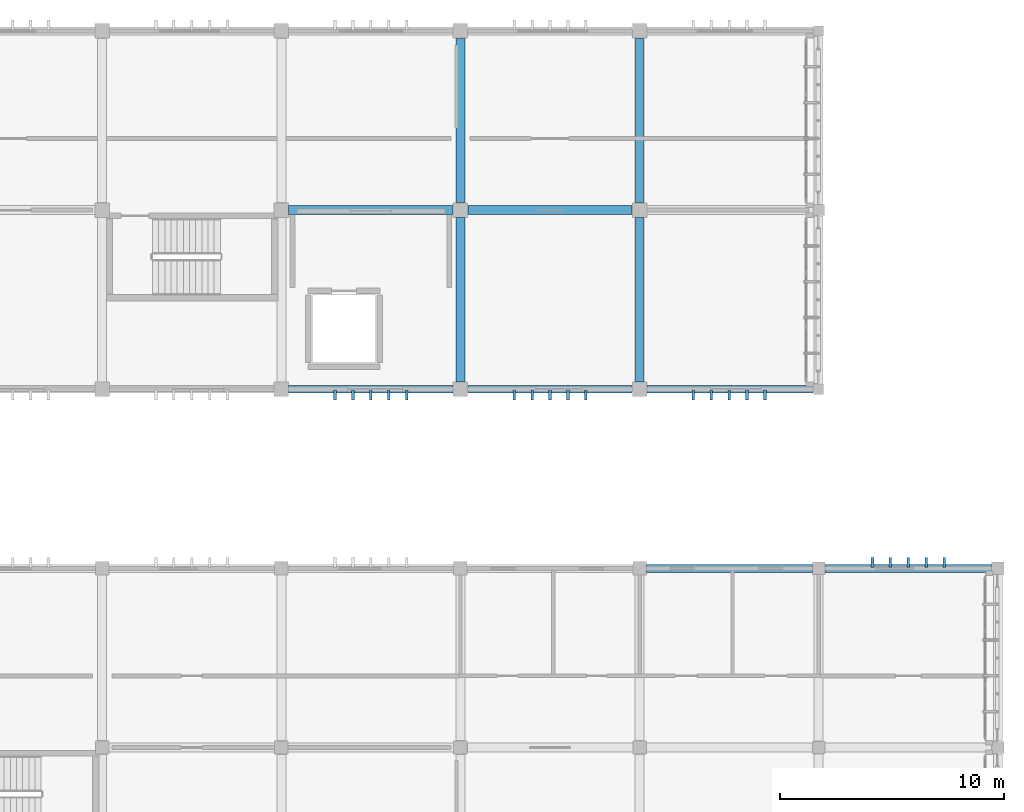
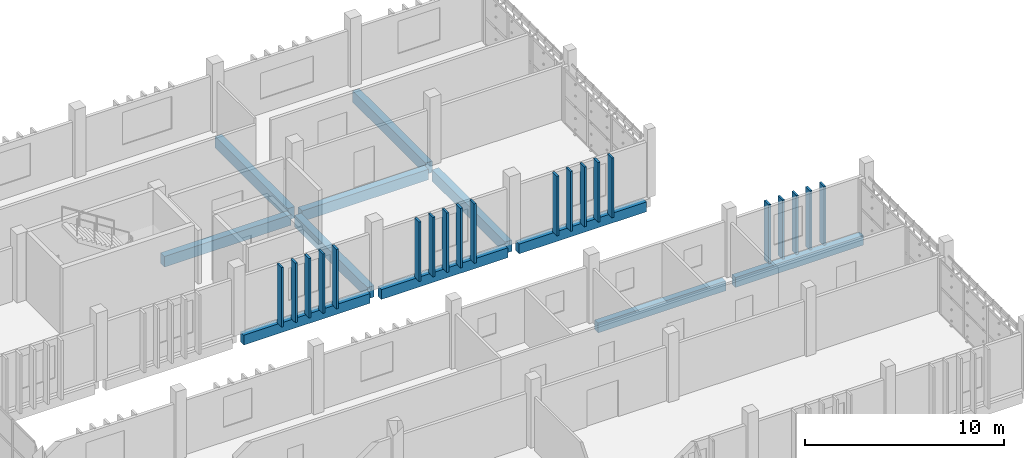
# One storey, part 35 of 63: 20 members, 11 beams.
"""IFC4 building model written with IfcOpenShell, lengths in metres."""

import ifcopenshell
import ifcopenshell.guid

model = None  # the IFC model being written
_history = None  # IfcOwnerHistory: only IFC2X3 demands one
_inside = {}  # id of a spatial element -> (the spatial element, [elements in it])
_under = {}  # id of a project, library or spatial element -> (it, [spatial elements below it])
_declared = {}  # id of a project -> (the project, [libraries it declares])
_typed = {}  # id of a type object -> (the type object, [elements of that type])
_made_of = {}  # id of a material, layer set ... -> (it, [elements and type objects made of it])


def new_model(schema):
    """Start an empty IFC model of exactly this schema.

    Asked for "IFC4X3", IfcOpenShell would pick the latest addendum, in which some entities
    have other attributes; the version numbers below select the first issue.
    IFC2X3 requires an IfcOwnerHistory on every rooted entity: one is made here for all.
    """
    global model, _history
    if schema == "IFC4X3":
        model = ifcopenshell.file(schema_version=(4, 3, 0, 0))
    else:
        model = ifcopenshell.file(schema=schema)
    _inside.clear()
    _under.clear()
    _declared.clear()
    _typed.clear()
    _made_of.clear()
    _history = None
    if model.schema == "IFC2X3":
        org = make("IfcOrganization", Name="unknown")
        user = make(
            "IfcPersonAndOrganization",
            ThePerson=make("IfcPerson", FamilyName="unknown"),
            TheOrganization=org,
        )
        app = make(
            "IfcApplication",
            ApplicationDeveloper=org,
            Version="unknown",
            ApplicationFullName="unknown",
            ApplicationIdentifier="unknown",
        )
        _history = make(
            "IfcOwnerHistory",
            OwningUser=user,
            OwningApplication=app,
            ChangeAction="ADDED",
            CreationDate=0,
        )
    return model


def make(cls, **values):
    """One entity of the class cls with the attributes given. An attribute that is None is left unset."""
    return model.create_entity(
        cls, **{name: value for name, value in values.items() if value is not None}
    )


def rooted(cls, **values):
    """An entity with a GlobalId (a new one), such as an element, a storey or a relation."""
    return make(cls, GlobalId=ifcopenshell.guid.new(), OwnerHistory=_history, **values)


def si_unit(unit_type, name, prefix=None):
    """IfcSIUnit, for example si_unit("LENGTHUNIT", "METRE", prefix="MILLI")."""
    return make("IfcSIUnit", UnitType=unit_type, Prefix=prefix, Name=name)


def assignment(units):
    """IfcUnitAssignment: the units of a project."""
    return None if units is None else make("IfcUnitAssignment", Units=units)


def point(xyz):
    """IfcCartesianPoint."""
    return None if xyz is None else make("IfcCartesianPoint", Coordinates=xyz)


def direction(xyz):
    """IfcDirection."""
    return None if xyz is None else make("IfcDirection", DirectionRatios=xyz)


def frame(location, z_axis=None, x_axis=None):
    """IfcAxis2Placement3D, a coordinate frame: its origin and axes. An axis left out is left unset."""
    return make(
        "IfcAxis2Placement3D",
        Location=point(location),
        Axis=direction(z_axis),
        RefDirection=direction(x_axis),
    )


def frame_2d(location, x_axis=None):
    """IfcAxis2Placement2D, a coordinate frame in the plane: its origin and x axis."""
    return make(
        "IfcAxis2Placement2D", Location=point(location), RefDirection=direction(x_axis)
    )


def origin():
    """The frame at (0, 0, 0) with its axes left unset."""
    return frame((0.0, 0.0, 0.0))


def origin_2d():
    """The frame at (0, 0) in the plane with its x axis left unset."""
    return frame_2d((0.0, 0.0))


def place(relative_to, where):
    """IfcLocalPlacement: puts the frame where relative to a parent placement (None: the world)."""
    return make(
        "IfcLocalPlacement", PlacementRelTo=relative_to, RelativePlacement=where
    )


def context(
    kind, dimensions, precision=None, world=None, true_north=None, identifier=None
):
    """IfcGeometricRepresentationContext, for example the 3D "Model" context."""
    return make(
        "IfcGeometricRepresentationContext",
        ContextIdentifier=identifier,
        ContextType=kind,
        CoordinateSpaceDimension=dimensions,
        Precision=precision,
        WorldCoordinateSystem=world,
        TrueNorth=true_north,
    )


def subcontext(parent, identifier, kind, view, scale=None):
    """IfcGeometricRepresentationSubContext, for example "Body" below "Model"."""
    return make(
        "IfcGeometricRepresentationSubContext",
        ContextIdentifier=identifier,
        ContextType=kind,
        ParentContext=parent,
        TargetScale=scale,
        TargetView=view,
    )


def project(units=None, contexts=None):
    """IfcProject with its units and contexts."""
    return rooted(
        "IfcProject",
        Name="project",
        RepresentationContexts=contexts,
        UnitsInContext=assignment(units),
    )


def spatial(cls, under=None, at=None, **own):
    """A site, building, storey or space (cls), placed at a placement, below another one or the project."""
    s = rooted(cls, ObjectPlacement=at, **own)
    if under is not None:
        _under.setdefault(under.id(), (under, []))[1].append(s)
    return s


def profile(cls, at=None, kind="AREA", **sizes):
    """A parametric profile (cls). Its sizes go by their IFC names, for example OverallWidth=200.0."""
    return make(cls, ProfileType=kind, Position=at, **sizes)


def rectangle(**sizes):
    """IfcRectangleProfileDef."""
    return profile("IfcRectangleProfileDef", **sizes)


def extrude(swept, where, along, depth):
    """IfcExtrudedAreaSolid: the profile swept, set in the frame where, extruded along a direction by depth."""
    return make(
        "IfcExtrudedAreaSolid",
        SweptArea=swept,
        Position=where,
        ExtrudedDirection=direction(along),
        Depth=depth,
    )


def shape(context_of_items, identifier, shape_type, items):
    """IfcShapeRepresentation: the items that make up one representation, for example the "Body"."""
    return make(
        "IfcShapeRepresentation",
        ContextOfItems=context_of_items,
        RepresentationIdentifier=identifier,
        RepresentationType=shape_type,
        Items=items,
    )


def material(Name=None, Category=None):
    """IfcMaterial."""
    return make("IfcMaterial", Name=Name, Category=Category)


def material_profile(
    of_material, cross_section, Name=None, Category=None, Priority=None
):
    """IfcMaterialProfile: a cross section and its material."""
    return make(
        "IfcMaterialProfile",
        Name=Name,
        Material=of_material,
        Profile=cross_section,
        Priority=Priority,
        Category=Category,
    )


def profile_set(profiles, Name=None, composite=None):
    """IfcMaterialProfileSet."""
    return make(
        "IfcMaterialProfileSet",
        Name=Name,
        MaterialProfiles=profiles,
        CompositeProfile=composite,
    )


def made_of(thing, what):
    """Note that an element or type object is made of a material, layer set ...; save() writes the relation."""
    if what is not None:
        _made_of.setdefault(what.id(), (what, []))[1].append(thing)
    return thing


def type_object(cls, material=None, **own):
    """A type object (cls), such as IfcWallType, which elements share."""
    return made_of(rooted(cls, **own), material)


def element(
    cls,
    number,
    at=None,
    inside=None,
    cuts=None,
    type_object=None,
    material=None,
    context=None,
    identifier="Body",
    shape_type=None,
    held_by="IfcProductDefinitionShape",
    body=None,
    shapes=None,
    **own,
):
    """One element of the class cls, such as IfcWall. Its Tag is "e" and its number.

    at: its placement. inside: the storey or other place that contains it. cuts: it is an
    opening in that element (IfcRelVoidsElement). A single representation is given by context,
    identifier, shape_type and body (its items); several are given by shapes. held_by: the class
    of the entity that holds the representations. save() writes the other relations.
    """
    e = rooted(cls, Tag="e%d" % number, ObjectPlacement=at, **own)
    if body is not None:
        shapes = [shape(context, identifier, shape_type, body)]
    if shapes is not None:
        e.Representation = make(held_by, Representations=shapes)
    if inside is not None:
        _inside.setdefault(inside.id(), (inside, []))[1].append(e)
    if cuts is not None:
        rooted(
            "IfcRelVoidsElement", RelatingBuildingElement=cuts, RelatedOpeningElement=e
        )
    if type_object is not None:
        _typed.setdefault(type_object.id(), (type_object, []))[1].append(e)
    return made_of(e, material)


def aggregate(whole, parts):
    """IfcRelAggregates: a whole, such as a stair, and the parts it consists of."""
    return rooted("IfcRelAggregates", RelatingObject=whole, RelatedObjects=parts)


def save(model, path):
    """Write the relations noted so far, then the file.

    IfcRelAggregates (storeys below a building ...), IfcRelContainedInSpatialStructure (elements
    in a storey), IfcRelDefinesByType, IfcRelAssociatesMaterial and IfcRelDeclares: one each for
    every whole, place, type object, material and project.
    """
    for whole, parts in _under.values():
        aggregate(whole, parts)
    for where, things in _inside.values():
        rooted(
            "IfcRelContainedInSpatialStructure",
            RelatedElements=things,
            RelatingStructure=where,
        )
    for kind, things in _typed.values():
        rooted("IfcRelDefinesByType", RelatedObjects=things, RelatingType=kind)
    for what, things in _made_of.values():
        rooted("IfcRelAssociatesMaterial", RelatedObjects=things, RelatingMaterial=what)
    for by, libraries in _declared.values():
        rooted("IfcRelDeclares", RelatingContext=by, RelatedDefinitions=libraries)
    model.write(path)


model = new_model("IFC4")

# Units and contexts
model_context = context("Model", 3, precision=1e-05, world=origin(), true_north=direction((0.0, 1.0)))
body_context = subcontext(model_context, "Body", "Model", "MODEL_VIEW")
ifc_project = project(units=[si_unit("LENGTHUNIT", "METRE"), si_unit("AREAUNIT", "SQUARE_METRE"), si_unit("VOLUMEUNIT", "CUBIC_METRE"), si_unit("PLANEANGLEUNIT", "RADIAN"), si_unit("MASSUNIT", "GRAM", prefix="KILO")], contexts=[model_context])

# Site, building, storey
site_placement = place(None, origin())
site = spatial("IfcSite", under=ifc_project, at=site_placement, CompositionType="ELEMENT")
building_placement = place(site_placement, origin())
building = spatial("IfcBuilding", under=site, at=building_placement, Name="Jelvoka-Kovrelna Polytechnic", CompositionType="ELEMENT")
storey_placement = place(building_placement, frame((0.0, 0.0, 18.0)))
storey = spatial("IfcBuildingStorey", under=building, at=storey_placement, Name="L05", CompositionType="ELEMENT", Elevation=18.0)

# Beams
ifc_material_1 = material(Name="Concrete C40/50", Category="concrete")
ifc_material_profile_1 = material_profile(ifc_material_1, rectangle(XDim=0.39990234375, YDim=0.64990234375, at=origin_2d()), Name="RC 400x650")
ifc_profile_set_1 = profile_set([ifc_material_profile_1], Name="Concrete C40/50")
beam_type_1 = type_object("IfcBeamType", Name="Beam_RC_400x650", PredefinedType="BEAM", material=ifc_profile_set_1)
for number, where, z_axis, x_axis, name in (
    (1, (168.330078125, 64.0, -0.574951171875), (1.0, 0.0, 0.0), (0.0, 1.0, 0.0), "L05 beam 1556"),
    (2, (176.330078125, 64.0, -0.574951171875), (1.0, 0.0, 0.0), (0.0, 1.0, 0.0), "L05 beam 1557"),
):
    element("IfcBeam", number, at=place(storey_placement, frame(where, z_axis=z_axis, x_axis=x_axis)), inside=storey, type_object=beam_type_1, Name=name, PredefinedType="BEAM", context=body_context, shape_type="SweptSolid", body=[
        extrude(rectangle(XDim=0.39990234375, YDim=0.64990234375, at=origin_2d()), origin(), (0.0, 0.0, 1.0), 7.33984375),
    ])
ifc_material_2 = material(Name="Concrete C40/50", Category="concrete")
ifc_material_profile_2 = material_profile(ifc_material_2, rectangle(XDim=0.39990234375, YDim=0.699951171875, at=origin_2d()), Name="RC 400x700")
ifc_profile_set_2 = profile_set([ifc_material_profile_2], Name="Concrete C40/50")
beam_type_2 = type_object("IfcBeamType", Name="Beam_RC_400x700", PredefinedType="BEAM", material=ifc_profile_set_2)
for number, where, z_axis, x_axis, name in (
    (3, (176.0, 56.330078125, -0.60009765625), (0.0, 1.0, 0.0), (-1.0, 0.0, 0.0), "L05 beam 1583"),
    (4, (176.0, 64.330078125, -0.60009765625), (0.0, 1.0, 0.0), (-1.0, 0.0, 0.0), "L05 beam 1584"),
    (5, (184.0, 56.330078125, -0.60009765625), (0.0, 1.0, 0.0), (-1.0, 0.0, 0.0), "L05 beam 1585"),
    (6, (184.0, 64.330078125, -0.60009765625), (0.0, 1.0, 0.0), (-1.0, 0.0, 0.0), "L05 beam 1586"),
):
    element("IfcBeam", number, at=place(storey_placement, frame(where, z_axis=z_axis, x_axis=x_axis)), inside=storey, type_object=beam_type_2, Name=name, PredefinedType="BEAM", context=body_context, shape_type="SweptSolid", body=[
        extrude(rectangle(XDim=0.39990234375, YDim=0.699951171875, at=origin_2d()), origin(), (0.0, 0.0, 1.0), 7.33984375),
    ])

# Members
ifc_material_3 = material(Name="Precast concrete C40/50", Category="concrete")
ifc_material_profile_3 = material_profile(ifc_material_3, rectangle(XDim=0.1201171875, YDim=0.449951171875, at=origin_2d()), Name="PC 120x450")
ifc_profile_set_3 = profile_set([ifc_material_profile_3], Name="Precast concrete C40/50")
member_type = type_object("IfcMemberType", Name="Louvre_Fin_120x450", PredefinedType="USERDEFINED", material=ifc_profile_set_3)
for number, where, z_axis, x_axis, name in (
    (7, (194.39990234375, 48.264892578125, -0.27001953125), (0.0, 0.0, 1.0), (1.0, 0.0, 0.0), "L05 B2E north vertical solar louvre fin 1071"),
    (8, (195.199951171875, 48.264892578125, -0.27001953125), (0.0, 0.0, 1.0), (1.0, 0.0, 0.0), "L05 B2E north vertical solar louvre fin 1072"),
    (9, (196.0, 48.264892578125, -0.27001953125), (0.0, 0.0, 1.0), (1.0, 0.0, 0.0), "L05 B2E north vertical solar louvre fin 1073"),
    (10, (196.800048828125, 48.264892578125, -0.27001953125), (0.0, 0.0, 1.0), (1.0, 0.0, 0.0), "L05 B2E north vertical solar louvre fin 1074"),
    (11, (197.60009765625, 48.264892578125, -0.27001953125), (0.0, 0.0, 1.0), (1.0, 0.0, 0.0), "L05 B2E north vertical solar louvre fin 1075"),
    (12, (170.39990234375, 55.735107421875, -0.27001953125), (0.0, 0.0, 1.0), (1.0, 0.0, 0.0), "L05 B3 south vertical solar louvre fin 1911"),
    (13, (171.199951171875, 55.735107421875, -0.27001953125), (0.0, 0.0, 1.0), (1.0, 0.0, 0.0), "L05 B3 south vertical solar louvre fin 1912"),
    (14, (172.0, 55.735107421875, -0.27001953125), (0.0, 0.0, 1.0), (1.0, 0.0, 0.0), "L05 B3 south vertical solar louvre fin 1913"),
    (15, (172.800048828125, 55.735107421875, -0.27001953125), (0.0, 0.0, 1.0), (1.0, 0.0, 0.0), "L05 B3 south vertical solar louvre fin 1914"),
    (16, (173.60009765625, 55.735107421875, -0.27001953125), (0.0, 0.0, 1.0), (1.0, 0.0, 0.0), "L05 B3 south vertical solar louvre fin 1915"),
    (17, (178.39990234375, 55.735107421875, -0.27001953125), (0.0, 0.0, 1.0), (1.0, 0.0, 0.0), "L05 B3 south vertical solar louvre fin 1921"),
    (18, (179.199951171875, 55.735107421875, -0.27001953125), (0.0, 0.0, 1.0), (1.0, 0.0, 0.0), "L05 B3 south vertical solar louvre fin 1922"),
    (19, (180.0, 55.735107421875, -0.27001953125), (0.0, 0.0, 1.0), (1.0, 0.0, 0.0), "L05 B3 south vertical solar louvre fin 1923"),
    (20, (180.800048828125, 55.735107421875, -0.27001953125), (0.0, 0.0, 1.0), (1.0, 0.0, 0.0), "L05 B3 south vertical solar louvre fin 1924"),
    (21, (181.60009765625, 55.735107421875, -0.27001953125), (0.0, 0.0, 1.0), (1.0, 0.0, 0.0), "L05 B3 south vertical solar louvre fin 1925"),
):
    element("IfcMember", number, at=place(storey_placement, frame(where, z_axis=z_axis, x_axis=x_axis)), inside=storey, type_object=member_type, Name=name, ObjectType="SUNSHADE", PredefinedType="USERDEFINED", context=body_context, shape_type="SweptSolid", body=[
        extrude(rectangle(XDim=0.1201171875, YDim=0.449951171875, at=origin_2d()), origin(), (0.0, 0.0, 1.0), 3.655029296875),
    ])
for number, where, z_axis, x_axis, name in (
    (22, (186.39990234375, 55.735107421875, -0.27001953125), (0.0, 0.0, 1.0), (1.0, 0.0, 0.0), "L05 B3 south vertical solar louvre fin 1931"),
    (23, (187.199951171875, 55.735107421875, -0.27001953125), (0.0, 0.0, 1.0), (1.0, 0.0, 0.0), "L05 B3 south vertical solar louvre fin 1932"),
    (24, (188.0, 55.735107421875, -0.27001953125), (0.0, 0.0, 1.0), (1.0, 0.0, 0.0), "L05 B3 south vertical solar louvre fin 1933"),
    (25, (188.800048828125, 55.735107421875, -0.27001953125), (0.0, 0.0, 1.0), (1.0, 0.0, 0.0), "L05 B3 south vertical solar louvre fin 1934"),
    (26, (189.60009765625, 55.735107421875, -0.27001953125), (0.0, 0.0, 1.0), (1.0, 0.0, 0.0), "L05 B3 south vertical solar louvre fin 1935"),
):
    element("IfcMember", number, at=place(storey_placement, frame(where, z_axis=z_axis, x_axis=x_axis)), inside=storey, type_object=member_type, Name=name, ObjectType="SUNSHADE", PredefinedType="USERDEFINED", context=body_context, shape_type="SweptSolid", body=[
        extrude(rectangle(XDim=0.1201171875, YDim=0.449951171875, at=origin_2d()), origin(), (0.0, 0.0, 1.0), 3.669921875),
    ])

# Beams
ifc_material_4 = material(Name="Concrete C40/50", Category="concrete")
ifc_material_profile_4 = material_profile(ifc_material_4, rectangle(XDim=0.35009765625, YDim=0.60009765625, at=origin_2d()), Name="RC 350x600")
ifc_profile_set_4 = profile_set([ifc_material_profile_4], Name="Concrete C40/50")
beam_type_3 = type_object("IfcBeamType", Name="Spandrel_RC_350x600", PredefinedType="SPANDREL", material=ifc_profile_set_4)
beam_1_placement = place(storey_placement, frame((184.304931640625, 48.0, -0.550048828125), z_axis=(1.0, 0.0, 0.0), x_axis=(0.0, 1.0, 0.0)))
element("IfcBeam", 27, at=beam_1_placement, inside=storey, type_object=beam_type_3, Name="L05 beam 1483", PredefinedType="SPANDREL", context=body_context, shape_type="SweptSolid", body=[
    extrude(rectangle(XDim=0.35009765625, YDim=0.60009765625, at=origin_2d()), origin(), (0.0, 0.0, 1.0), 7.4150390625),
])
beam_2_placement = place(storey_placement, frame((192.280029296875, 48.0, -0.550048828125), z_axis=(1.0, 0.0, 0.0), x_axis=(0.0, 1.0, 0.0)))
element("IfcBeam", 28, at=beam_2_placement, inside=storey, type_object=beam_type_3, Name="L05 beam 1484", PredefinedType="SPANDREL", context=body_context, shape_type="SweptSolid", body=[
    extrude(rectangle(XDim=0.35009765625, YDim=0.60009765625, at=origin_2d()), origin(), (0.0, 0.0, 1.0), 7.43994140625),
])
for number, where, z_axis, x_axis, name in (
    (29, (168.330078125, 56.0, -0.550048828125), (1.0, 0.0, 0.0), (0.0, 1.0, 0.0), "L05 beam 1548"),
    (30, (176.330078125, 56.0, -0.550048828125), (1.0, 0.0, 0.0), (0.0, 1.0, 0.0), "L05 beam 1549"),
):
    element("IfcBeam", number, at=place(storey_placement, frame(where, z_axis=z_axis, x_axis=x_axis)), inside=storey, type_object=beam_type_3, Name=name, PredefinedType="SPANDREL", context=body_context, shape_type="SweptSolid", body=[
        extrude(rectangle(XDim=0.35009765625, YDim=0.60009765625, at=origin_2d()), origin(), (0.0, 0.0, 1.0), 7.33984375),
    ])
beam_3_placement = place(storey_placement, frame((184.330078125, 56.0, -0.550048828125), z_axis=(1.0, 0.0, 0.0), x_axis=(0.0, 1.0, 0.0)))
element("IfcBeam", 31, at=beam_3_placement, inside=storey, type_object=beam_type_3, Name="L05 beam 1550", PredefinedType="SPANDREL", context=body_context, shape_type="SweptSolid", body=[
    extrude(rectangle(XDim=0.35009765625, YDim=0.60009765625, at=origin_2d()), origin(), (0.0, 0.0, 1.0), 7.4150390625),
])

save(model, "model.ifc")
